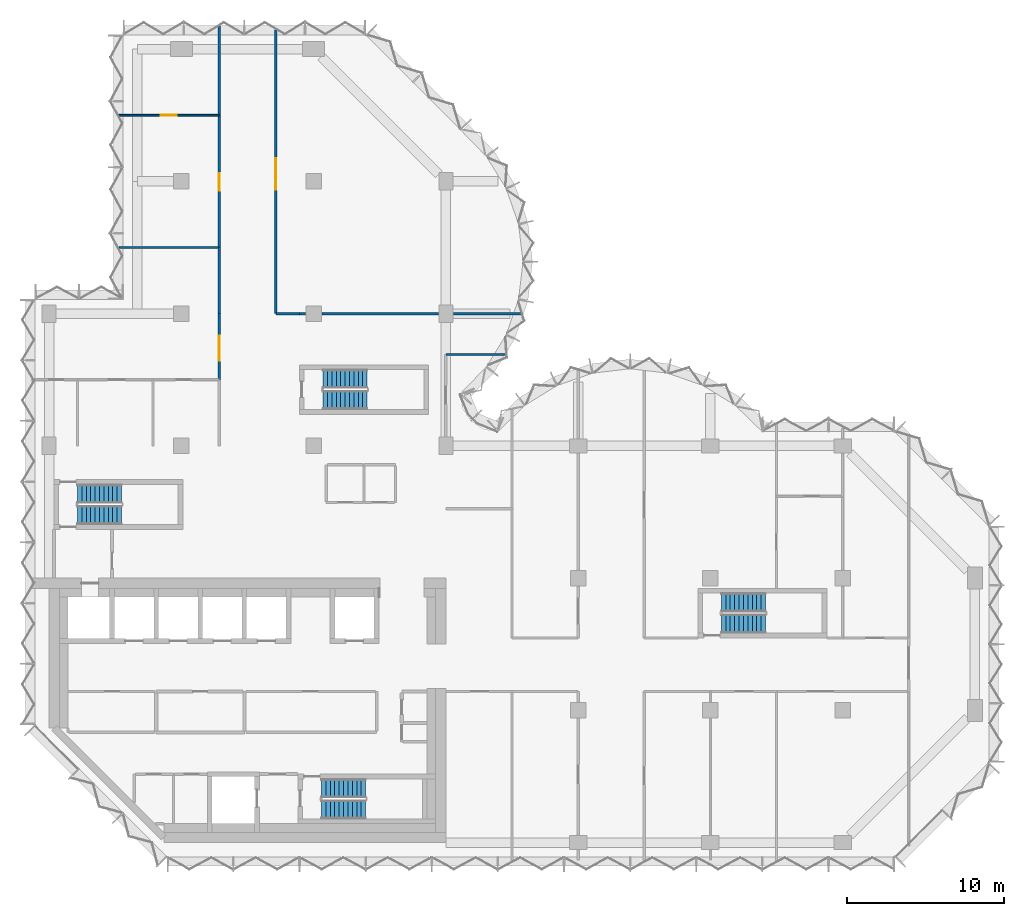
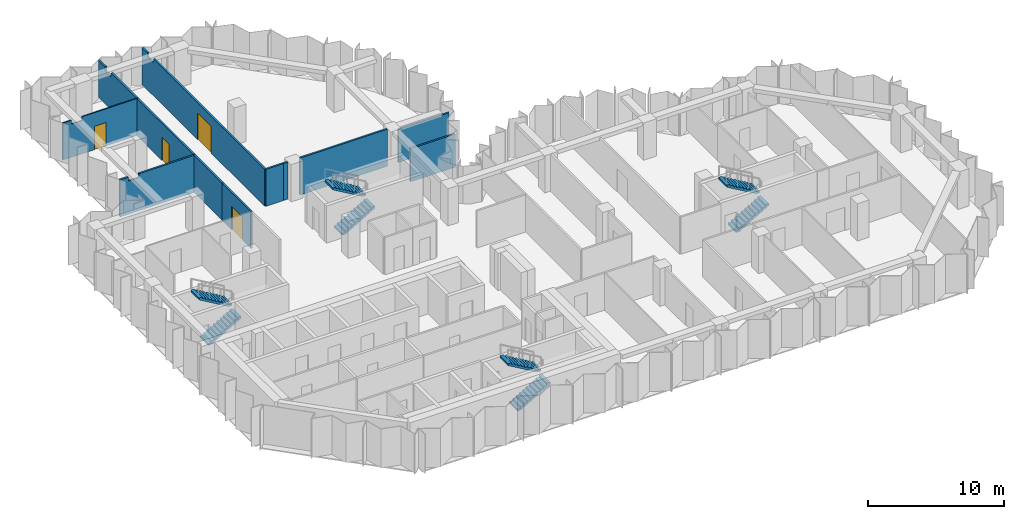
# One storey, part 8 of 10: 12 walls, 8 stair flights, 4 doors, 4 openings, 4 elements without a shape of their own.
"""IFC4 building model written with IfcOpenShell, lengths in metres."""

from ifc_helpers import new_model, si_unit, direction, frame, frame_2d, origin, place, context, subcontext, project, spatial, polyline, rectangle, outline, extrude, material, layer, layer_set, type_object, element, fill, aggregate, save


model = new_model("IFC4")

# Units and contexts
model_context = context("Model", 3, precision=1e-05, world=origin(), true_north=direction((0.0, 1.0)))
body_context = subcontext(model_context, "Body", "Model", "MODEL_VIEW")
ifc_project = project(units=[si_unit("LENGTHUNIT", "METRE"), si_unit("AREAUNIT", "SQUARE_METRE"), si_unit("VOLUMEUNIT", "CUBIC_METRE"), si_unit("PLANEANGLEUNIT", "RADIAN"), si_unit("MASSUNIT", "GRAM", prefix="KILO")], contexts=[model_context])

# Site, building, storey
site_placement = place(None, origin())
site = spatial("IfcSite", under=ifc_project, at=site_placement, CompositionType="ELEMENT")
building_placement = place(site_placement, origin())
building = spatial("IfcBuilding", under=site, at=building_placement, Name="Brevane Broadcast Tower", CompositionType="ELEMENT")
storey_placement = place(building_placement, frame((0.0, 0.0, 166.800048828125)))
storey = spatial("IfcBuildingStorey", under=building, at=storey_placement, Name="L41", CompositionType="ELEMENT", Elevation=166.800048828125)

# Wall, opening, door
ifc_material_1 = material(Name="Gypsum board partition")
ifc_layer_1 = layer(ifc_material_1, 0.10009765625)
ifc_layer_set_1 = layer_set([ifc_layer_1], Name="PARTITION 100 STUD")
wall_type_1 = type_object("IfcWallType", Name="PARTITION 100 STUD", PredefinedType="PARTITIONING", material=ifc_layer_set_1)
wall_1_placement = place(storey_placement, frame((4.426025390625, 46.199951171875, 0.0), z_axis=(0.0, 0.0, 1.0), x_axis=(1.0, 0.0, 0.0)))
wall_1 = element("IfcWall", 1, at=wall_1_placement, inside=storey, type_object=wall_type_1, Name="Partition G12-054", PredefinedType="PARTITIONING", context=body_context, shape_type="SweptSolid", body=[
    extrude(outline(polyline([(0.0, 0.0), (6.3740234375, 0.0), (6.3740234375, 3.329833984375), (1.6240234375, 3.329833984375), (1.6220703125, 2.97998046875), (0.72607421875, 2.97998046875), (0.72412109375, 3.329833984375), (0.073974609375, 3.329833984375), (0.0, 3.329833984375), (0.0, 0.0)])), frame((0.0, 0.050048828125, 0.0), z_axis=(0.0, -1.0, 0.0), x_axis=(1.0, 0.0, 0.0)), (0.0, 0.0, 1.0), 0.10009765625),
])
opening_1_placement = place(wall_1_placement, frame((2.674072265625, 0.0, 0.0)))
opening_1 = element("IfcOpeningElement", 2, at=opening_1_placement, cuts=wall_1, Name="Opening D21-018", PredefinedType="OPENING", context=body_context, shape_type="SweptSolid", body=[
    extrude(rectangle(XDim=1.0, YDim=2.10009765625, at=frame_2d((0.5, 1.050048828125))), frame((0.0, 0.06005859375, 0.0), z_axis=(0.0, -1.0, 0.0), x_axis=(1.0, 0.0, 0.0)), (0.0, 0.0, 1.0), 0.1201171875),
])
ifc_material_2 = material(Name="Timber door leaf", Category="wood")
door_type_1 = type_object("IfcDoorType", Name="DOOR SINGLE 1000 INTERNAL", OperationType="SINGLE_SWING_LEFT", PredefinedType="DOOR", material=ifc_material_2)
door_1_placement = place(opening_1_placement, origin())
door_1 = element("IfcDoor", 3, at=door_1_placement, inside=storey, type_object=door_type_1, Name="Door D21-018", OperationType="SINGLE_SWING_LEFT", OverallHeight=2.10009765625, OverallWidth=1.0, PredefinedType="DOOR", context=body_context, shape_type="SweptSolid", body=[
    extrude(rectangle(XDim=1.0, YDim=2.10009765625, at=frame_2d((0.5, 1.050048828125))), frame((0.0, 0.02490234375, 0.0), z_axis=(0.0, -1.0, 0.0), x_axis=(1.0, 0.0, 0.0)), (0.0, 0.0, 1.0), 0.050048828125),
])
fill(opening_1, door_1)

# Wall
ifc_layer_2 = layer(ifc_material_1, 0.14990234375)
ifc_layer_set_2 = layer_set([ifc_layer_2], Name="PARTITION 150 EI 60")
wall_type_2 = type_object("IfcWallType", Name="PARTITION 150 EI 60", PredefinedType="PARTITIONING", material=ifc_layer_set_2)
wall_2_placement = place(storey_placement, frame((25.199951171875, 31.0, 0.0), z_axis=(0.0, 0.0, 1.0), x_axis=(1.0, 0.0, 0.0)))
element("IfcWall", 4, at=wall_2_placement, inside=storey, type_object=wall_type_2, Name="Partition G12-006", PredefinedType="PARTITIONING", context=body_context, shape_type="SweptSolid", body=[
    extrude(rectangle(XDim=3.80615234375, YDim=0.14990234375, at=frame_2d((1.903076171875, 0.0))), origin(), (0.0, 0.0, 1.0), 2.97998046875),
])

# Wall, opening, door
wall_3_placement = place(storey_placement, frame((10.800048828125, 29.39990234375, 0.0), z_axis=(0.0, 0.0, 1.0), x_axis=(0.0, 1.0, 0.0)))
wall_3 = element("IfcWall", 5, at=wall_3_placement, inside=storey, type_object=wall_type_2, Name="Partition G12-038", PredefinedType="PARTITIONING", context=body_context, shape_type="SweptSolid", body=[
    extrude(rectangle(XDim=4.2001953125, YDim=0.14990234375, at=frame_2d((2.10009765625, 0.0))), origin(), (0.0, 0.0, 1.0), 3.329833984375),
])
opening_2_placement = place(wall_3_placement, frame((1.199951171875, 0.0, 0.0)))
opening_2 = element("IfcOpeningElement", 6, at=opening_2_placement, cuts=wall_3, Name="Opening D21-013", PredefinedType="OPENING", context=body_context, shape_type="SweptSolid", body=[
    extrude(rectangle(XDim=1.60009765625, YDim=2.10009765625, at=frame_2d((0.800048828125, 1.050048828125))), frame((0.0, 0.0849609375, 0.0), z_axis=(0.0, -1.0, 0.0), x_axis=(1.0, 0.0, 0.0)), (0.0, 0.0, 1.0), 0.169921875),
])
ifc_material_3 = material(Name="Fire-rated timber door leaf", Category="wood")
door_type_2 = type_object("IfcDoorType", Name="DOOR DOUBLE 1600 FD30S", OperationType="DOUBLE_DOOR_SINGLE_SWING", PredefinedType="DOOR", material=ifc_material_3)
door_2_placement = place(opening_2_placement, origin())
door_2 = element("IfcDoor", 7, at=door_2_placement, inside=storey, type_object=door_type_2, Name="Door D21-013", OperationType="DOUBLE_DOOR_SINGLE_SWING", OverallHeight=2.10009765625, OverallWidth=1.60009765625, PredefinedType="DOOR", context=body_context, shape_type="SweptSolid", body=[
    extrude(rectangle(XDim=1.60009765625, YDim=2.10009765625, at=frame_2d((0.800048828125, 1.050048828125))), frame((0.0, 0.02490234375, 0.0), z_axis=(0.0, -1.0, 0.0), x_axis=(1.0, 0.0, 0.0)), (0.0, 0.0, 1.0), 0.050048828125),
])
fill(opening_2, door_2)

# Walls
wall_4_placement = place(storey_placement, frame((14.39990234375, 33.60009765625, 0.0), z_axis=(0.0, 0.0, 1.0), x_axis=(1.0, 0.0, 0.0)))
element("IfcWall", 8, at=wall_4_placement, inside=storey, type_object=wall_type_2, Name="Partition G12-040", PredefinedType="PARTITIONING", context=body_context, shape_type="SweptSolid", body=[
    extrude(rectangle(XDim=1.5, YDim=0.14990234375, at=frame_2d((0.75, 0.0))), origin(), (0.0, 0.0, 1.0), 3.329833984375),
])
wall_5_placement = place(storey_placement, frame((15.89990234375, 33.60009765625, 0.0), z_axis=(0.0, 0.0, 1.0), x_axis=(1.0, 0.0, 0.0)))
element("IfcWall", 9, at=wall_5_placement, inside=storey, type_object=wall_type_2, Name="Partition G12-041", PredefinedType="PARTITIONING", context=body_context, shape_type="SweptSolid", body=[
    extrude(rectangle(XDim=0.380126953125, YDim=0.14990234375, at=frame_2d((0.18994140625, 0.0))), origin(), (0.0, 0.0, 1.0), 3.329833984375),
])
wall_6_placement = place(storey_placement, frame((17.320068359375, 33.60009765625, 0.0), z_axis=(0.0, 0.0, 1.0), x_axis=(1.0, 0.0, 0.0)))
element("IfcWall", 10, at=wall_6_placement, inside=storey, type_object=wall_type_2, Name="Partition G12-042", PredefinedType="PARTITIONING", context=body_context, shape_type="SweptSolid", body=[
    extrude(rectangle(XDim=7.409912109375, YDim=0.14990234375, at=frame_2d((3.705078125, 0.0))), origin(), (0.0, 0.0, 1.0), 3.329833984375),
])
wall_7_placement = place(storey_placement, frame((25.669921875, 33.60009765625, 0.0), z_axis=(0.0, 0.0, 1.0), x_axis=(1.0, 0.0, 0.0)))
element("IfcWall", 11, at=wall_7_placement, inside=storey, type_object=wall_type_2, Name="Partition G12-043", PredefinedType="PARTITIONING", context=body_context, shape_type="SweptSolid", body=[
    extrude(rectangle(XDim=4.318359375, YDim=0.14990234375, at=frame_2d((2.1591796875, 0.0))), origin(), (0.0, 0.0, 1.0), 2.97998046875),
])
wall_8_placement = place(storey_placement, frame((10.800048828125, 33.60009765625, 0.0), z_axis=(0.0, 0.0, 1.0), x_axis=(0.0, 1.0, 0.0)))
element("IfcWall", 12, at=wall_8_placement, inside=storey, type_object=wall_type_2, Name="Partition G12-044", PredefinedType="PARTITIONING", context=body_context, shape_type="SweptSolid", body=[
    extrude(rectangle(XDim=4.199951171875, YDim=0.14990234375, at=frame_2d((2.10009765625, 0.0))), origin(), (0.0, 0.0, 1.0), 3.329833984375),
])

# Wall, opening, door
wall_9_placement = place(storey_placement, frame((10.800048828125, 37.800048828125, 0.0), z_axis=(0.0, 0.0, 1.0), x_axis=(0.0, 1.0, 0.0)))
wall_9 = element("IfcWall", 13, at=wall_9_placement, inside=storey, type_object=wall_type_2, Name="Partition G12-045", PredefinedType="PARTITIONING", context=body_context, shape_type="SweptSolid", body=[
    extrude(rectangle(XDim=8.39990234375, YDim=0.14990234375, at=frame_2d((4.199951171875, 0.0))), origin(), (0.0, 0.0, 1.0), 3.329833984375),
])
opening_3_placement = place(wall_9_placement, frame((3.60009765625, 0.0, 0.0)))
opening_3 = element("IfcOpeningElement", 14, at=opening_3_placement, cuts=wall_9, Name="Opening D21-017", PredefinedType="OPENING", context=body_context, shape_type="SweptSolid", body=[
    extrude(rectangle(XDim=1.10009765625, YDim=2.10009765625, at=frame_2d((0.550048828125, 1.050048828125))), frame((0.0, 0.0849609375, 0.0), z_axis=(0.0, -1.0, 0.0), x_axis=(1.0, 0.0, 0.0)), (0.0, 0.0, 1.0), 0.169921875),
])
door_type_3 = type_object("IfcDoorType", Name="DOOR SINGLE 1100 FD30S", OperationType="SINGLE_SWING_LEFT", PredefinedType="DOOR", material=ifc_material_3)
door_3_placement = place(opening_3_placement, origin())
door_3 = element("IfcDoor", 15, at=door_3_placement, inside=storey, type_object=door_type_3, Name="Door D21-017", OperationType="SINGLE_SWING_LEFT", OverallHeight=2.10009765625, OverallWidth=1.10009765625, PredefinedType="DOOR", context=body_context, shape_type="SweptSolid", body=[
    extrude(rectangle(XDim=1.10009765625, YDim=2.10009765625, at=frame_2d((0.550048828125, 1.050048828125))), frame((0.0, 0.02490234375, 0.0), z_axis=(0.0, -1.0, 0.0), x_axis=(1.0, 0.0, 0.0)), (0.0, 0.0, 1.0), 0.050048828125),
])
fill(opening_3, door_3)

# Wall
wall_10_placement = place(storey_placement, frame((10.800048828125, 46.199951171875, 0.0), z_axis=(0.0, 0.0, 1.0), x_axis=(0.0, 1.0, 0.0)))
element("IfcWall", 16, at=wall_10_placement, inside=storey, type_object=wall_type_2, Name="Partition G12-046", PredefinedType="PARTITIONING", context=body_context, shape_type="SweptSolid", body=[
    extrude(outline(polyline([(0.0, 0.0), (5.6611328125, 0.0), (5.660888671875, 3.329833984375), (5.280029296875, 3.329833984375), (4.64990234375, 3.329833984375), (4.64794921875, 2.97998046875), (3.751953125, 2.97998046875), (3.75, 3.329833984375), (0.0, 3.329833984375), (0.0, 0.0)])), frame((0.0, 0.074951171875, 0.0), z_axis=(0.0, -1.0, 0.0), x_axis=(1.0, 0.0, 0.0)), (0.0, 0.0, 1.0), 0.14990234375),
])

# Wall, opening, door
wall_11_placement = place(storey_placement, frame((14.39990234375, 51.624755859375, 0.0), z_axis=(0.0, 0.0, 1.0), x_axis=(0.0, -1.0, 0.0)))
wall_11 = element("IfcWall", 17, at=wall_11_placement, inside=storey, type_object=wall_type_2, Name="Partition G12-047", PredefinedType="PARTITIONING", context=body_context, shape_type="SweptSolid", body=[
    extrude(outline(polyline([(0.0, 0.0), (18.024658203125, 0.0), (18.024658203125, 3.329833984375), (1.6748046875, 3.329833984375), (1.672607421875, 2.97998046875), (0.776611328125, 2.97998046875), (0.774658203125, 3.329833984375), (0.144775390625, 3.329833984375), (0.0, 3.329833984375), (0.0, 0.0)])), frame((0.0, 0.074951171875, 0.0), z_axis=(0.0, -1.0, 0.0), x_axis=(1.0, 0.0, 0.0)), (0.0, 0.0, 1.0), 0.14990234375),
])
opening_4_placement = place(wall_11_placement, frame((8.144775390625, 0.0, 0.0)))
opening_4 = element("IfcOpeningElement", 18, at=opening_4_placement, cuts=wall_11, Name="Opening D21-019", PredefinedType="OPENING", context=body_context, shape_type="SweptSolid", body=[
    extrude(rectangle(XDim=2.0, YDim=2.39990234375, at=frame_2d((1.0, 1.199951171875))), frame((0.0, 0.0849609375, 0.0), z_axis=(0.0, -1.0, 0.0), x_axis=(1.0, 0.0, 0.0)), (0.0, 0.0, 1.0), 0.169921875),
])
door_type_4 = type_object("IfcDoorType", Name="DOOR DOUBLE 2000 FD30S", OperationType="DOUBLE_DOOR_SINGLE_SWING", PredefinedType="DOOR", material=ifc_material_3)
door_4_placement = place(opening_4_placement, origin())
door_4 = element("IfcDoor", 19, at=door_4_placement, inside=storey, type_object=door_type_4, Name="Door D21-019", OperationType="DOUBLE_DOOR_SINGLE_SWING", OverallHeight=2.39990234375, OverallWidth=2.0, PredefinedType="DOOR", context=body_context, shape_type="SweptSolid", body=[
    extrude(rectangle(XDim=2.0, YDim=2.39990234375, at=frame_2d((1.0, 1.199951171875))), frame((0.0, 0.02490234375, 0.0), z_axis=(0.0, -1.0, 0.0), x_axis=(1.0, 0.0, 0.0)), (0.0, 0.0, 1.0), 0.050048828125),
])
fill(opening_4, door_4)

# Wall
wall_12_placement = place(storey_placement, frame((4.426025390625, 37.800048828125, 0.0), z_axis=(0.0, 0.0, 1.0), x_axis=(1.0, 0.0, 0.0)))
element("IfcWall", 20, at=wall_12_placement, inside=storey, type_object=wall_type_2, Name="Partition G12-051", PredefinedType="PARTITIONING", context=body_context, shape_type="SweptSolid", body=[
    extrude(outline(polyline([(0.0, 0.0), (6.3740234375, 0.0), (6.3740234375, 3.329833984375), (1.6240234375, 3.329833984375), (1.6220703125, 2.97998046875), (0.72607421875, 2.97998046875), (0.72412109375, 3.329833984375), (0.073974609375, 3.329833984375), (0.0, 3.329833984375), (0.0, 0.0)])), frame((0.0, 0.074951171875, 0.0), z_axis=(0.0, -1.0, 0.0), x_axis=(1.0, 0.0, 0.0)), (0.0, 0.0, 1.0), 0.14990234375),
])

# Stair, stair flights
ifc_material_4 = material(Name="Concrete C50/60", Category="concrete")
stair_type = type_object("IfcStairType", Name="Exit stair 22 risers", PredefinedType="HALF_TURN_STAIR", material=ifc_material_4)
stair_1_placement = place(storey_placement, origin())
stair_1 = element("IfcStair", 21, at=stair_1_placement, inside=storey, type_object=stair_type, Name="L41 Exit stair ST-1", PredefinedType="HALF_TURN_STAIR")
stair_flight_type = type_object("IfcStairFlightType", Name="Exit stair flight 22 risers", PredefinedType="STRAIGHT", material=ifc_material_4)
stair_flight_1_placement = place(storey_placement, frame((1.800048828125, 20.800048828125, 0.0), z_axis=(0.0, 0.0, 1.0), x_axis=(1.0, 0.0, 0.0)))
stair_flight_1 = element("IfcStairFlight", 22, at=stair_flight_1_placement, type_object=stair_flight_type, Name="ST-1 flight 1", NumberOfRisers=11, NumberOfTreads=10, PredefinedType="STRAIGHT", RiserHeight=0.163636364, TreadLength=0.28, context=body_context, shape_type="SweptSolid", body=[
    extrude(outline(polyline([(0.0, 0.0), (0.0, 0.16357421875), (0.280029296875, 0.16357421875), (0.280029296875, 0.327392578125), (0.56005859375, 0.327392578125), (0.56005859375, 0.490966796875), (0.840087890625, 0.490966796875), (0.840087890625, 0.654541015625), (1.1201171875, 0.654541015625), (1.1201171875, 0.818115234375), (1.39990234375, 0.818115234375), (1.39990234375, 0.98193359375), (1.679931640625, 0.98193359375), (1.679931640625, 1.1455078125), (1.9599609375, 1.1455078125), (1.9599609375, 1.30908203125), (2.239990234375, 1.30908203125), (2.239990234375, 1.47265625), (2.52001953125, 1.47265625), (2.52001953125, 1.636474609375), (2.800048828125, 1.636474609375), (2.800048828125, 1.800048828125), (2.800048828125, 1.462646484375), (0.297119140625, 0.0), (0.0, 0.0)])), frame((0.0, 0.60009765625, 0.0), z_axis=(0.0, -1.0, 0.0), x_axis=(1.0, 0.0, 0.0)), (0.0, 0.0, 1.0), 1.199951171875),
])
stair_flight_2_placement = place(storey_placement, frame((4.60009765625, 22.14990234375, 1.800048828125), z_axis=(0.0, 0.0, 1.0), x_axis=(-1.0, 0.0, 0.0)))
stair_flight_2 = element("IfcStairFlight", 23, at=stair_flight_2_placement, type_object=stair_flight_type, Name="ST-1 flight 2", NumberOfRisers=11, NumberOfTreads=10, PredefinedType="STRAIGHT", RiserHeight=0.163636364, TreadLength=0.28, context=body_context, shape_type="SweptSolid", body=[
    extrude(outline(polyline([(0.0, 0.0), (0.0, 0.16357421875), (0.280029296875, 0.16357421875), (0.280029296875, 0.327392578125), (0.56005859375, 0.327392578125), (0.56005859375, 0.490966796875), (0.840087890625, 0.490966796875), (0.840087890625, 0.654541015625), (1.1201171875, 0.654541015625), (1.1201171875, 0.818115234375), (1.39990234375, 0.818115234375), (1.39990234375, 0.98193359375), (1.679931640625, 0.98193359375), (1.679931640625, 1.1455078125), (1.9599609375, 1.1455078125), (1.9599609375, 1.30908203125), (2.239990234375, 1.30908203125), (2.239990234375, 1.47265625), (2.52001953125, 1.47265625), (2.52001953125, 1.636474609375), (2.800048828125, 1.636474609375), (2.800048828125, 1.800048828125), (2.800048828125, 1.462646484375), (0.297119140625, 0.0), (0.0, 0.0)])), frame((0.0, 0.60009765625, 0.0), z_axis=(0.0, -1.0, 0.0), x_axis=(1.0, 0.0, 0.0)), (0.0, 0.0, 1.0), 1.199951171875),
])
aggregate(stair_1, [stair_flight_1, stair_flight_2])

stair_2_placement = place(storey_placement, origin())
stair_2 = element("IfcStair", 24, at=stair_2_placement, inside=storey, type_object=stair_type, Name="L41 Exit stair ST-2", PredefinedType="HALF_TURN_STAIR")
stair_flight_3_placement = place(storey_placement, frame((17.300048828125, 2.10009765625, 0.0), z_axis=(0.0, 0.0, 1.0), x_axis=(1.0, 0.0, 0.0)))
stair_flight_3 = element("IfcStairFlight", 25, at=stair_flight_3_placement, type_object=stair_flight_type, Name="ST-2 flight 1", NumberOfRisers=11, NumberOfTreads=10, PredefinedType="STRAIGHT", RiserHeight=0.163636364, TreadLength=0.28, context=body_context, shape_type="SweptSolid", body=[
    extrude(outline(polyline([(0.0, 0.0), (0.0, 0.16357421875), (0.280029296875, 0.16357421875), (0.280029296875, 0.327392578125), (0.56005859375, 0.327392578125), (0.56005859375, 0.490966796875), (0.840087890625, 0.490966796875), (0.840087890625, 0.654541015625), (1.1201171875, 0.654541015625), (1.1201171875, 0.818115234375), (1.39990234375, 0.818115234375), (1.39990234375, 0.98193359375), (1.679931640625, 0.98193359375), (1.679931640625, 1.1455078125), (1.9599609375, 1.1455078125), (1.9599609375, 1.30908203125), (2.239990234375, 1.30908203125), (2.239990234375, 1.47265625), (2.52001953125, 1.47265625), (2.52001953125, 1.636474609375), (2.800048828125, 1.636474609375), (2.800048828125, 1.800048828125), (2.800048828125, 1.462646484375), (0.297119140625, 0.0), (0.0, 0.0)])), frame((0.0, 0.60009765625, 0.0), z_axis=(0.0, -1.0, 0.0), x_axis=(1.0, 0.0, 0.0)), (0.0, 0.0, 1.0), 1.199951171875),
])
stair_flight_4_placement = place(storey_placement, frame((20.10009765625, 3.449951171875, 1.800048828125), z_axis=(0.0, 0.0, 1.0), x_axis=(-1.0, 0.0, 0.0)))
stair_flight_4 = element("IfcStairFlight", 26, at=stair_flight_4_placement, type_object=stair_flight_type, Name="ST-2 flight 2", NumberOfRisers=11, NumberOfTreads=10, PredefinedType="STRAIGHT", RiserHeight=0.163636364, TreadLength=0.28, context=body_context, shape_type="SweptSolid", body=[
    extrude(outline(polyline([(0.0, 0.0), (0.0, 0.16357421875), (0.280029296875, 0.16357421875), (0.280029296875, 0.327392578125), (0.56005859375, 0.327392578125), (0.56005859375, 0.490966796875), (0.840087890625, 0.490966796875), (0.840087890625, 0.654541015625), (1.1201171875, 0.654541015625), (1.1201171875, 0.818115234375), (1.39990234375, 0.818115234375), (1.39990234375, 0.98193359375), (1.679931640625, 0.98193359375), (1.679931640625, 1.1455078125), (1.9599609375, 1.1455078125), (1.9599609375, 1.30908203125), (2.239990234375, 1.30908203125), (2.239990234375, 1.47265625), (2.52001953125, 1.47265625), (2.52001953125, 1.636474609375), (2.800048828125, 1.636474609375), (2.800048828125, 1.800048828125), (2.800048828125, 1.462646484375), (0.297119140625, 0.0), (0.0, 0.0)])), frame((0.0, 0.60009765625, 0.0), z_axis=(0.0, -1.0, 0.0), x_axis=(1.0, 0.0, 0.0)), (0.0, 0.0, 1.0), 1.199951171875),
])
aggregate(stair_2, [stair_flight_3, stair_flight_4])

stair_3_placement = place(storey_placement, origin())
stair_3 = element("IfcStair", 27, at=stair_3_placement, inside=storey, type_object=stair_type, Name="L41 Exit stair ST-3", PredefinedType="HALF_TURN_STAIR")
stair_flight_5_placement = place(storey_placement, frame((17.39990234375, 28.10009765625, 0.0), z_axis=(0.0, 0.0, 1.0), x_axis=(1.0, 0.0, 0.0)))
stair_flight_5 = element("IfcStairFlight", 28, at=stair_flight_5_placement, type_object=stair_flight_type, Name="ST-3 flight 1", NumberOfRisers=11, NumberOfTreads=10, PredefinedType="STRAIGHT", RiserHeight=0.163636364, TreadLength=0.28, context=body_context, shape_type="SweptSolid", body=[
    extrude(outline(polyline([(0.0, 0.0), (0.0, 0.16357421875), (0.280029296875, 0.16357421875), (0.280029296875, 0.327392578125), (0.56005859375, 0.327392578125), (0.56005859375, 0.490966796875), (0.840087890625, 0.490966796875), (0.840087890625, 0.654541015625), (1.1201171875, 0.654541015625), (1.1201171875, 0.818115234375), (1.39990234375, 0.818115234375), (1.39990234375, 0.98193359375), (1.679931640625, 0.98193359375), (1.679931640625, 1.1455078125), (1.9599609375, 1.1455078125), (1.9599609375, 1.30908203125), (2.239990234375, 1.30908203125), (2.239990234375, 1.47265625), (2.52001953125, 1.47265625), (2.52001953125, 1.636474609375), (2.800048828125, 1.636474609375), (2.800048828125, 1.800048828125), (2.800048828125, 1.462646484375), (0.297119140625, 0.0), (0.0, 0.0)])), frame((0.0, 0.60009765625, 0.0), z_axis=(0.0, -1.0, 0.0), x_axis=(1.0, 0.0, 0.0)), (0.0, 0.0, 1.0), 1.199951171875),
])
stair_flight_6_placement = place(storey_placement, frame((20.199951171875, 29.449951171875, 1.800048828125), z_axis=(0.0, 0.0, 1.0), x_axis=(-1.0, 0.0, 0.0)))
stair_flight_6 = element("IfcStairFlight", 29, at=stair_flight_6_placement, type_object=stair_flight_type, Name="ST-3 flight 2", NumberOfRisers=11, NumberOfTreads=10, PredefinedType="STRAIGHT", RiserHeight=0.163636364, TreadLength=0.28, context=body_context, shape_type="SweptSolid", body=[
    extrude(outline(polyline([(0.0, 0.0), (0.0, 0.16357421875), (0.280029296875, 0.16357421875), (0.280029296875, 0.327392578125), (0.56005859375, 0.327392578125), (0.56005859375, 0.490966796875), (0.840087890625, 0.490966796875), (0.840087890625, 0.654541015625), (1.1201171875, 0.654541015625), (1.1201171875, 0.818115234375), (1.39990234375, 0.818115234375), (1.39990234375, 0.98193359375), (1.679931640625, 0.98193359375), (1.679931640625, 1.1455078125), (1.9599609375, 1.1455078125), (1.9599609375, 1.30908203125), (2.239990234375, 1.30908203125), (2.239990234375, 1.47265625), (2.52001953125, 1.47265625), (2.52001953125, 1.636474609375), (2.800048828125, 1.636474609375), (2.800048828125, 1.800048828125), (2.800048828125, 1.462646484375), (0.297119140625, 0.0), (0.0, 0.0)])), frame((0.0, 0.60009765625, 0.0), z_axis=(0.0, -1.0, 0.0), x_axis=(1.0, 0.0, 0.0)), (0.0, 0.0, 1.0), 1.199951171875),
])
aggregate(stair_3, [stair_flight_5, stair_flight_6])

stair_4_placement = place(storey_placement, origin())
stair_4 = element("IfcStair", 30, at=stair_4_placement, inside=storey, type_object=stair_type, Name="L41 Exit stair ST-4", PredefinedType="HALF_TURN_STAIR")
stair_flight_7_placement = place(storey_placement, frame((42.699951171875, 13.89990234375, 0.0), z_axis=(0.0, 0.0, 1.0), x_axis=(1.0, 0.0, 0.0)))
stair_flight_7 = element("IfcStairFlight", 31, at=stair_flight_7_placement, type_object=stair_flight_type, Name="ST-4 flight 1", NumberOfRisers=11, NumberOfTreads=10, PredefinedType="STRAIGHT", RiserHeight=0.163636364, TreadLength=0.28, context=body_context, shape_type="SweptSolid", body=[
    extrude(outline(polyline([(0.0, 0.0), (0.0, 0.16357421875), (0.280029296875, 0.16357421875), (0.280029296875, 0.327392578125), (0.56005859375, 0.327392578125), (0.56005859375, 0.490966796875), (0.840087890625, 0.490966796875), (0.840087890625, 0.654541015625), (1.1201171875, 0.654541015625), (1.1201171875, 0.818115234375), (1.39990234375, 0.818115234375), (1.39990234375, 0.98193359375), (1.679931640625, 0.98193359375), (1.679931640625, 1.1455078125), (1.9599609375, 1.1455078125), (1.9599609375, 1.30908203125), (2.239990234375, 1.30908203125), (2.239990234375, 1.47265625), (2.52001953125, 1.47265625), (2.52001953125, 1.636474609375), (2.800048828125, 1.636474609375), (2.800048828125, 1.800048828125), (2.800048828125, 1.462646484375), (0.297119140625, 0.0), (0.0, 0.0)])), frame((0.0, 0.60009765625, 0.0), z_axis=(0.0, -1.0, 0.0), x_axis=(1.0, 0.0, 0.0)), (0.0, 0.0, 1.0), 1.199951171875),
])
stair_flight_8_placement = place(storey_placement, frame((45.5, 15.25, 1.800048828125), z_axis=(0.0, 0.0, 1.0), x_axis=(-1.0, 0.0, 0.0)))
stair_flight_8 = element("IfcStairFlight", 32, at=stair_flight_8_placement, type_object=stair_flight_type, Name="ST-4 flight 2", NumberOfRisers=11, NumberOfTreads=10, PredefinedType="STRAIGHT", RiserHeight=0.163636364, TreadLength=0.28, context=body_context, shape_type="SweptSolid", body=[
    extrude(outline(polyline([(0.0, 0.0), (0.0, 0.16357421875), (0.280029296875, 0.16357421875), (0.280029296875, 0.327392578125), (0.56005859375, 0.327392578125), (0.56005859375, 0.490966796875), (0.840087890625, 0.490966796875), (0.840087890625, 0.654541015625), (1.1201171875, 0.654541015625), (1.1201171875, 0.818115234375), (1.39990234375, 0.818115234375), (1.39990234375, 0.98193359375), (1.679931640625, 0.98193359375), (1.679931640625, 1.1455078125), (1.9599609375, 1.1455078125), (1.9599609375, 1.30908203125), (2.239990234375, 1.30908203125), (2.239990234375, 1.47265625), (2.52001953125, 1.47265625), (2.52001953125, 1.636474609375), (2.800048828125, 1.636474609375), (2.800048828125, 1.800048828125), (2.800048828125, 1.462646484375), (0.297119140625, 0.0), (0.0, 0.0)])), frame((0.0, 0.60009765625, 0.0), z_axis=(0.0, -1.0, 0.0), x_axis=(1.0, 0.0, 0.0)), (0.0, 0.0, 1.0), 1.199951171875),
])
aggregate(stair_4, [stair_flight_7, stair_flight_8])

save(model, "model.ifc")
